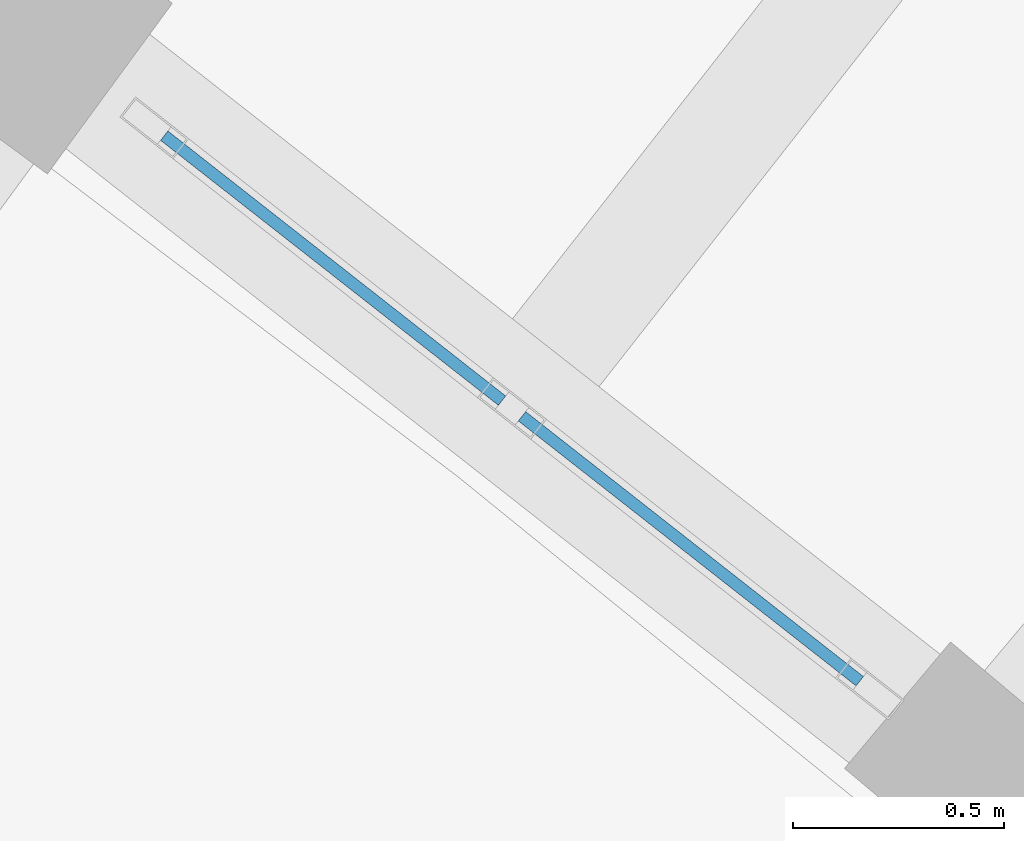
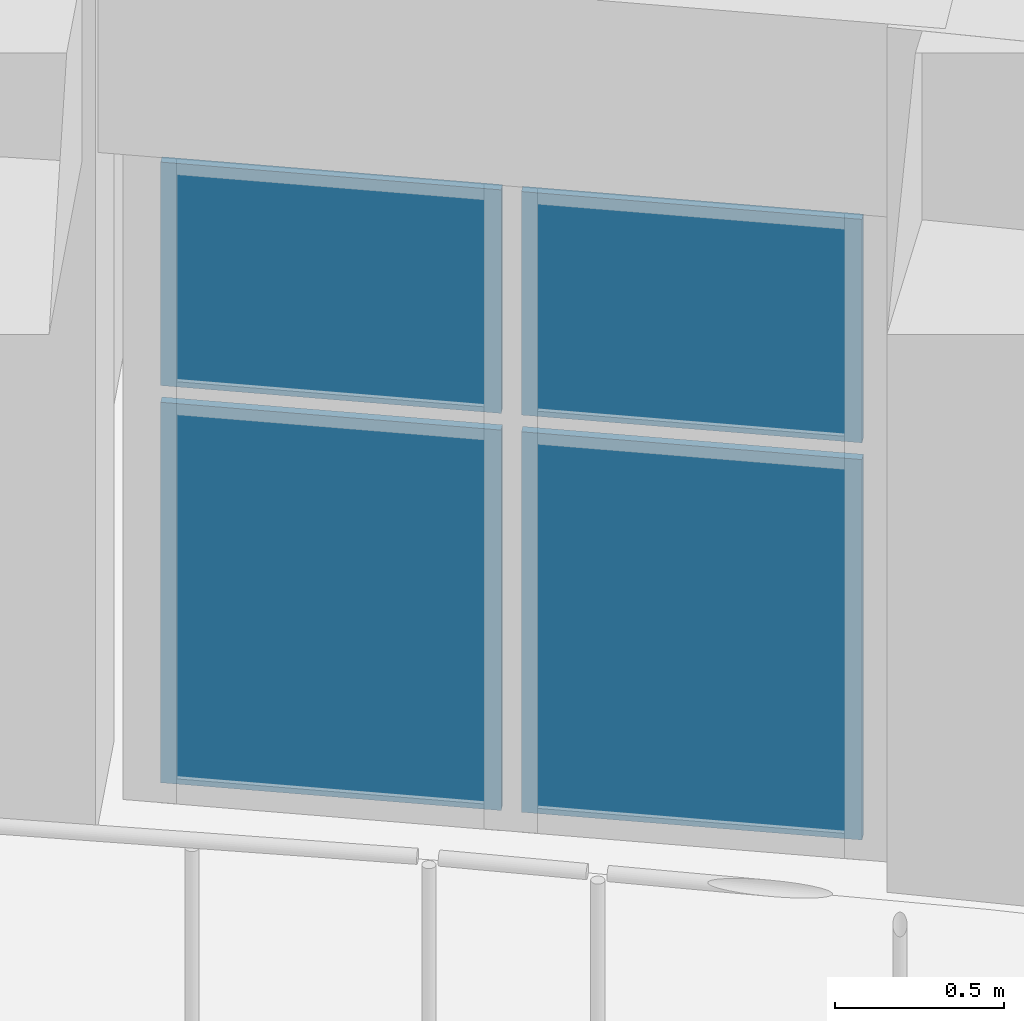
# One storey, part 20 of 56: 4 plates, 1 element without a shape of its own.
"""IFC4 building model written with IfcOpenShell, lengths in metres."""

import ifcopenshell
import ifcopenshell.guid

model = None  # the IFC model being written
_history = None  # IfcOwnerHistory: only IFC2X3 demands one
_inside = {}  # id of a spatial element -> (the spatial element, [elements in it])
_under = {}  # id of a project, library or spatial element -> (it, [spatial elements below it])
_declared = {}  # id of a project -> (the project, [libraries it declares])
_typed = {}  # id of a type object -> (the type object, [elements of that type])
_made_of = {}  # id of a material, layer set ... -> (it, [elements and type objects made of it])


def new_model(schema):
    """Start an empty IFC model of exactly this schema.

    Asked for "IFC4X3", IfcOpenShell would pick the latest addendum, in which some entities
    have other attributes; the version numbers below select the first issue.
    IFC2X3 requires an IfcOwnerHistory on every rooted entity: one is made here for all.
    """
    global model, _history
    if schema == "IFC4X3":
        model = ifcopenshell.file(schema_version=(4, 3, 0, 0))
    else:
        model = ifcopenshell.file(schema=schema)
    _inside.clear()
    _under.clear()
    _declared.clear()
    _typed.clear()
    _made_of.clear()
    _history = None
    if model.schema == "IFC2X3":
        org = make("IfcOrganization", Name="unknown")
        user = make(
            "IfcPersonAndOrganization",
            ThePerson=make("IfcPerson", FamilyName="unknown"),
            TheOrganization=org,
        )
        app = make(
            "IfcApplication",
            ApplicationDeveloper=org,
            Version="unknown",
            ApplicationFullName="unknown",
            ApplicationIdentifier="unknown",
        )
        _history = make(
            "IfcOwnerHistory",
            OwningUser=user,
            OwningApplication=app,
            ChangeAction="ADDED",
            CreationDate=0,
        )
    return model


def make(cls, **values):
    """One entity of the class cls with the attributes given. An attribute that is None is left unset."""
    return model.create_entity(
        cls, **{name: value for name, value in values.items() if value is not None}
    )


def rooted(cls, **values):
    """An entity with a GlobalId (a new one), such as an element, a storey or a relation."""
    return make(cls, GlobalId=ifcopenshell.guid.new(), OwnerHistory=_history, **values)


def si_unit(unit_type, name, prefix=None):
    """IfcSIUnit, for example si_unit("LENGTHUNIT", "METRE", prefix="MILLI")."""
    return make("IfcSIUnit", UnitType=unit_type, Prefix=prefix, Name=name)


def assignment(units):
    """IfcUnitAssignment: the units of a project."""
    return None if units is None else make("IfcUnitAssignment", Units=units)


def point(xyz):
    """IfcCartesianPoint."""
    return None if xyz is None else make("IfcCartesianPoint", Coordinates=xyz)


def direction(xyz):
    """IfcDirection."""
    return None if xyz is None else make("IfcDirection", DirectionRatios=xyz)


def frame(location, z_axis=None, x_axis=None):
    """IfcAxis2Placement3D, a coordinate frame: its origin and axes. An axis left out is left unset."""
    return make(
        "IfcAxis2Placement3D",
        Location=point(location),
        Axis=direction(z_axis),
        RefDirection=direction(x_axis),
    )


def frame_2d(location, x_axis=None):
    """IfcAxis2Placement2D, a coordinate frame in the plane: its origin and x axis."""
    return make(
        "IfcAxis2Placement2D", Location=point(location), RefDirection=direction(x_axis)
    )


def origin():
    """The frame at (0, 0, 0) with its axes left unset."""
    return frame((0.0, 0.0, 0.0))


def origin_2d():
    """The frame at (0, 0) in the plane with its x axis left unset."""
    return frame_2d((0.0, 0.0))


def place(relative_to, where):
    """IfcLocalPlacement: puts the frame where relative to a parent placement (None: the world)."""
    return make(
        "IfcLocalPlacement", PlacementRelTo=relative_to, RelativePlacement=where
    )


def context(
    kind, dimensions, precision=None, world=None, true_north=None, identifier=None
):
    """IfcGeometricRepresentationContext, for example the 3D "Model" context."""
    return make(
        "IfcGeometricRepresentationContext",
        ContextIdentifier=identifier,
        ContextType=kind,
        CoordinateSpaceDimension=dimensions,
        Precision=precision,
        WorldCoordinateSystem=world,
        TrueNorth=true_north,
    )


def subcontext(parent, identifier, kind, view, scale=None):
    """IfcGeometricRepresentationSubContext, for example "Body" below "Model"."""
    return make(
        "IfcGeometricRepresentationSubContext",
        ContextIdentifier=identifier,
        ContextType=kind,
        ParentContext=parent,
        TargetScale=scale,
        TargetView=view,
    )


def project(units=None, contexts=None):
    """IfcProject with its units and contexts."""
    return rooted(
        "IfcProject",
        Name="project",
        RepresentationContexts=contexts,
        UnitsInContext=assignment(units),
    )


def spatial(cls, under=None, at=None, **own):
    """A site, building, storey or space (cls), placed at a placement, below another one or the project."""
    s = rooted(cls, ObjectPlacement=at, **own)
    if under is not None:
        _under.setdefault(under.id(), (under, []))[1].append(s)
    return s


def profile(cls, at=None, kind="AREA", **sizes):
    """A parametric profile (cls). Its sizes go by their IFC names, for example OverallWidth=200.0."""
    return make(cls, ProfileType=kind, Position=at, **sizes)


def rectangle(**sizes):
    """IfcRectangleProfileDef."""
    return profile("IfcRectangleProfileDef", **sizes)


def extrude(swept, where, along, depth):
    """IfcExtrudedAreaSolid: the profile swept, set in the frame where, extruded along a direction by depth."""
    return make(
        "IfcExtrudedAreaSolid",
        SweptArea=swept,
        Position=where,
        ExtrudedDirection=direction(along),
        Depth=depth,
    )


def shape(context_of_items, identifier, shape_type, items):
    """IfcShapeRepresentation: the items that make up one representation, for example the "Body"."""
    return make(
        "IfcShapeRepresentation",
        ContextOfItems=context_of_items,
        RepresentationIdentifier=identifier,
        RepresentationType=shape_type,
        Items=items,
    )


def material(Name=None, Category=None):
    """IfcMaterial."""
    return make("IfcMaterial", Name=Name, Category=Category)


def layer(
    of_material, thickness, ventilated=None, Name=None, Category=None, Priority=None
):
    """IfcMaterialLayer: one layer of a wall or slab, of a material (None: an air gap)."""
    return make(
        "IfcMaterialLayer",
        Material=of_material,
        LayerThickness=thickness,
        IsVentilated=ventilated,
        Name=Name,
        Category=Category,
        Priority=Priority,
    )


def layer_set(layers, Name=None):
    """IfcMaterialLayerSet."""
    return make("IfcMaterialLayerSet", MaterialLayers=layers, LayerSetName=Name)


def made_of(thing, what):
    """Note that an element or type object is made of a material, layer set ...; save() writes the relation."""
    if what is not None:
        _made_of.setdefault(what.id(), (what, []))[1].append(thing)
    return thing


def type_object(cls, material=None, **own):
    """A type object (cls), such as IfcWallType, which elements share."""
    return made_of(rooted(cls, **own), material)


def element(
    cls,
    number,
    at=None,
    inside=None,
    cuts=None,
    type_object=None,
    material=None,
    context=None,
    identifier="Body",
    shape_type=None,
    held_by="IfcProductDefinitionShape",
    body=None,
    shapes=None,
    **own,
):
    """One element of the class cls, such as IfcWall. Its Tag is "e" and its number.

    at: its placement. inside: the storey or other place that contains it. cuts: it is an
    opening in that element (IfcRelVoidsElement). A single representation is given by context,
    identifier, shape_type and body (its items); several are given by shapes. held_by: the class
    of the entity that holds the representations. save() writes the other relations.
    """
    e = rooted(cls, Tag="e%d" % number, ObjectPlacement=at, **own)
    if body is not None:
        shapes = [shape(context, identifier, shape_type, body)]
    if shapes is not None:
        e.Representation = make(held_by, Representations=shapes)
    if inside is not None:
        _inside.setdefault(inside.id(), (inside, []))[1].append(e)
    if cuts is not None:
        rooted(
            "IfcRelVoidsElement", RelatingBuildingElement=cuts, RelatedOpeningElement=e
        )
    if type_object is not None:
        _typed.setdefault(type_object.id(), (type_object, []))[1].append(e)
    return made_of(e, material)


def aggregate(whole, parts):
    """IfcRelAggregates: a whole, such as a stair, and the parts it consists of."""
    return rooted("IfcRelAggregates", RelatingObject=whole, RelatedObjects=parts)


def save(model, path):
    """Write the relations noted so far, then the file.

    IfcRelAggregates (storeys below a building ...), IfcRelContainedInSpatialStructure (elements
    in a storey), IfcRelDefinesByType, IfcRelAssociatesMaterial and IfcRelDeclares: one each for
    every whole, place, type object, material and project.
    """
    for whole, parts in _under.values():
        aggregate(whole, parts)
    for where, things in _inside.values():
        rooted(
            "IfcRelContainedInSpatialStructure",
            RelatedElements=things,
            RelatingStructure=where,
        )
    for kind, things in _typed.values():
        rooted("IfcRelDefinesByType", RelatedObjects=things, RelatingType=kind)
    for what, things in _made_of.values():
        rooted("IfcRelAssociatesMaterial", RelatedObjects=things, RelatingMaterial=what)
    for by, libraries in _declared.values():
        rooted("IfcRelDeclares", RelatingContext=by, RelatedDefinitions=libraries)
    model.write(path)


model = new_model("IFC4")

# Units and contexts
model_context = context("Model", 3, precision=1e-05, world=origin(), true_north=direction((0.0, 1.0)))
body_context = subcontext(model_context, "Body", "Model", "MODEL_VIEW")
ifc_project = project(units=[si_unit("LENGTHUNIT", "METRE"), si_unit("AREAUNIT", "SQUARE_METRE"), si_unit("VOLUMEUNIT", "CUBIC_METRE"), si_unit("PLANEANGLEUNIT", "RADIAN"), si_unit("MASSUNIT", "GRAM", prefix="KILO")], contexts=[model_context])

# Site, building, storey
site_placement = place(None, origin())
site = spatial("IfcSite", under=ifc_project, at=site_placement, CompositionType="ELEMENT")
building_placement = place(site_placement, origin())
building = spatial("IfcBuilding", under=site, at=building_placement, Name="Tanwirah Colonnade Gardens", CompositionType="ELEMENT")
storey_placement = place(building_placement, frame((0.0, 0.0, 29.0)))
storey = spatial("IfcBuildingStorey", under=building, at=storey_placement, Name="L08", CompositionType="ELEMENT", Elevation=29.0)

# Curtain wall, plates
ifc_material_1 = material(Name="Bronze-anodised aluminium and solar-control low-E glass", Category="aluminium")
curtain_wall_type = type_object("IfcCurtainWallType", Name="CW-GDN", PredefinedType="NOTDEFINED", material=ifc_material_1)
curtain_wall_placement = place(storey_placement, origin())
curtain_wall = element("IfcCurtainWall", 1, at=curtain_wall_placement, inside=storey, type_object=curtain_wall_type, Name="Curtain Wall CW-B-L08-IN-09", PredefinedType="NOTDEFINED")
ifc_material_2 = material(Name="Solar-control low-E double glazing", Category="glass")
ifc_layer = layer(ifc_material_2, 0.028076171875)
ifc_layer_set = layer_set([ifc_layer], Name="Solar-control low-E double glazing")
plate_type = type_object("IfcPlateType", Name="CWP-GLZ28", PredefinedType="CURTAIN_PANEL", material=ifc_layer_set)
plate_1_placement = place(storey_placement, frame((148.842041015625, 94.8232421875, 0.06005859375), z_axis=(0.0, 0.0, 1.0), x_axis=(-0.786815291166, 0.617188542982, 0.0)))
plate_1 = element("IfcPlate", 2, at=plate_1_placement, type_object=plate_type, Name="CW-GDN panel 1.1", PredefinedType="CURTAIN_PANEL", context=body_context, shape_type="SweptSolid", body=[
    extrude(rectangle(XDim=1.01513671875, YDim=0.028076171875, at=origin_2d()), origin(), (0.0, 0.0, 1.0), 1.3701171875),
])
plate_2_placement = place(storey_placement, frame((148.842041015625, 94.8232421875, 1.490234375), z_axis=(0.0, 0.0, 1.0), x_axis=(-0.786815291166, 0.617188542982, 0.0)))
plate_2 = element("IfcPlate", 3, at=plate_2_placement, type_object=plate_type, Name="CW-GDN panel 1.2", PredefinedType="CURTAIN_PANEL", context=body_context, shape_type="SweptSolid", body=[
    extrude(rectangle(XDim=1.01513671875, YDim=0.028076171875, at=origin_2d()), origin(), (0.0, 0.0, 1.0), 0.804931640625),
])
plate_3_placement = place(storey_placement, frame((147.99609375, 95.48681640625, 0.06005859375), z_axis=(0.0, 0.0, 1.0), x_axis=(-0.786815291166, 0.617188542982, 0.0)))
plate_3 = element("IfcPlate", 4, at=plate_3_placement, type_object=plate_type, Name="CW-GDN panel 2.1", PredefinedType="CURTAIN_PANEL", context=body_context, shape_type="SweptSolid", body=[
    extrude(rectangle(XDim=1.01513671875, YDim=0.028076171875, at=origin_2d()), origin(), (0.0, 0.0, 1.0), 1.3701171875),
])
plate_4_placement = place(storey_placement, frame((147.99609375, 95.48681640625, 1.490234375), z_axis=(0.0, 0.0, 1.0), x_axis=(-0.786815291166, 0.617188542982, 0.0)))
plate_4 = element("IfcPlate", 5, at=plate_4_placement, type_object=plate_type, Name="CW-GDN panel 2.2", PredefinedType="CURTAIN_PANEL", context=body_context, shape_type="SweptSolid", body=[
    extrude(rectangle(XDim=1.01513671875, YDim=0.028076171875, at=origin_2d()), origin(), (0.0, 0.0, 1.0), 0.804931640625),
])
aggregate(curtain_wall, [plate_1, plate_2, plate_3, plate_4])

save(model, "model.ifc")
